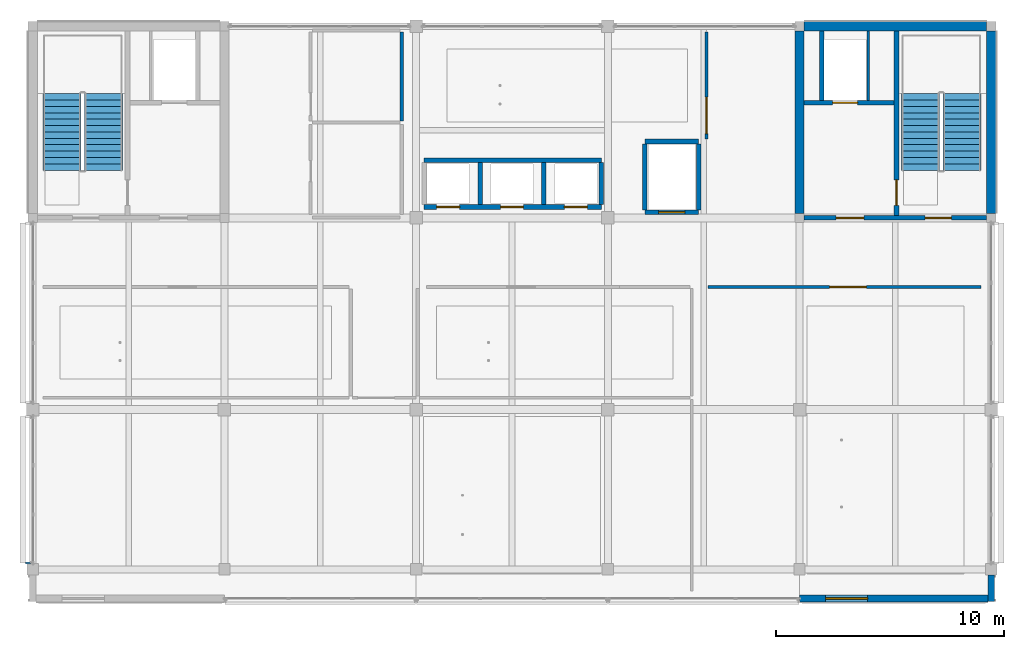
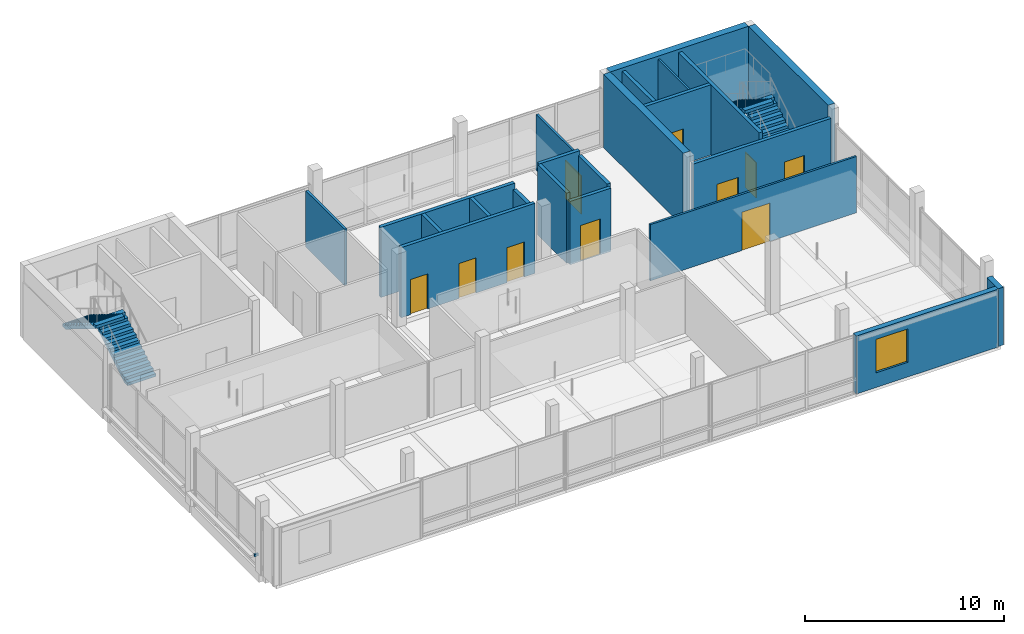
# One storey, part 8 of 20: 22 walls, 10 doors, 4 stair flights, 1 discrete accessory, 1 window, 11 openings, 2 elements without a shape of their own.
"""IFC4 building model written with IfcOpenShell, lengths in metres."""

from ifc_helpers import new_model, si_unit, direction, frame, frame_2d, origin, origin_2d, place, context, subcontext, project, spatial, polyline, rectangle, outline, extrude, material, layer, layer_set, type_object, element, fill, aggregate, save


model = new_model("IFC4")

# Units and contexts
model_context = context("Model", 3, precision=1e-05, world=origin(), true_north=direction((0.0, 1.0)))
body_context = subcontext(model_context, "Body", "Model", "MODEL_VIEW")
ifc_project = project(units=[si_unit("LENGTHUNIT", "METRE"), si_unit("AREAUNIT", "SQUARE_METRE"), si_unit("VOLUMEUNIT", "CUBIC_METRE"), si_unit("PLANEANGLEUNIT", "RADIAN"), si_unit("MASSUNIT", "GRAM", prefix="KILO")], contexts=[model_context])

# Site, building, storey
site_placement = place(None, origin())
site = spatial("IfcSite", under=ifc_project, at=site_placement, CompositionType="ELEMENT")
building_placement = place(site_placement, origin())
building = spatial("IfcBuilding", under=site, at=building_placement, Name="Telukmera Botanical Conservatory", CompositionType="ELEMENT")
storey_placement = place(building_placement, frame((0.0, 0.0, 69.0)))
storey = spatial("IfcBuildingStorey", under=building, at=storey_placement, Name="L15", CompositionType="ELEMENT", Elevation=69.0)

# Wall
ifc_material_1 = material(Name="Terracotta-faced precast concrete C40/50", Category="masonry")
ifc_layer_1 = layer(ifc_material_1, 0.300048828125)
ifc_layer_set_1 = layer_set([ifc_layer_1], Name="Terracotta-faced precast concrete C40/50")
wall_type_1 = type_object("IfcWallType", Name="Exterior Polychrome Terracotta Precast Wall 300", PredefinedType="SOLIDWALL", material=ifc_layer_set_1)
wall_1_placement = place(storey_placement, frame((100.800048828125, 9.199951171875, 0.0), z_axis=(0.0, 0.0, 1.0), x_axis=(0.0, 1.0, 0.0)))
element("IfcWall", 1, at=wall_1_placement, inside=storey, type_object=wall_type_1, Name="Exterior Precast Wall EW02 V4:L15:SEC", PredefinedType="SOLIDWALL", context=body_context, shape_type="SweptSolid", body=[
    extrude(rectangle(XDim=1.14794921875, YDim=0.300048828125, at=frame_2d((0.573974609375, 0.0))), origin(), (0.0, 0.0, 1.0), 3.550048828125),
])

# Wall, opening, window
wall_2_placement = place(storey_placement, frame((92.402099609375, 9.320068359375, 0.0), z_axis=(0.0, 0.0, 1.0), x_axis=(1.0, 0.0, 0.0)))
wall_2 = element("IfcWall", 2, at=wall_2_placement, inside=storey, type_object=wall_type_1, Name="Exterior Precast Wall EW02 V4:L15:S5", PredefinedType="SOLIDWALL", context=body_context, shape_type="SweptSolid", body=[
    extrude(rectangle(XDim=8.245849609375, YDim=0.300048828125, at=frame_2d((4.123046875, 0.0))), origin(), (0.0, 0.0, 1.0), 3.550048828125),
])
opening_1_placement = place(wall_2_placement, frame((1.136474609375, 0.0, 0.89990234375)))
opening_1 = element("IfcOpeningElement", 3, at=opening_1_placement, cuts=wall_2, Name="Opening W12", PredefinedType="OPENING", context=body_context, shape_type="SweptSolid", body=[
    extrude(rectangle(XDim=1.85009765625, YDim=2.050048828125, at=frame_2d((0.925048828125, 1.02490234375))), frame((0.0, 0.159912109375, 0.0), z_axis=(0.0, -1.0, 0.0), x_axis=(1.0, 0.0, 0.0)), (0.0, 0.0, 1.0), 0.320068359375),
])
ifc_material_2 = material(Name="Thermally broken anodised aluminium frame with low-E double glazing", Category="aluminium")
window_type = type_object("IfcWindowType", Name="Double Horizontal Seminar Suite Window 1850x2050", PartitioningType="DOUBLE_PANEL_HORIZONTAL", PredefinedType="WINDOW", material=ifc_material_2)
window_placement = place(opening_1_placement, origin())
window = element("IfcWindow", 4, at=window_placement, inside=storey, type_object=window_type, Name="Facade Window W12 V4:L15:S5 1", OverallHeight=2.050048828125, OverallWidth=1.85009765625, PartitioningType="DOUBLE_PANEL_HORIZONTAL", PredefinedType="WINDOW", context=body_context, shape_type="SweptSolid", body=[
    extrude(rectangle(XDim=1.85009765625, YDim=2.050048828125, at=frame_2d((0.925048828125, 1.02490234375))), frame((0.0, 0.030029296875, 0.0), z_axis=(0.0, -1.0, 0.0), x_axis=(1.0, 0.0, 0.0)), (0.0, 0.0, 1.0), 0.06005859375),
])
fill(opening_1, window)

# Wall, openings, doors
ifc_material_3 = material(Name="Concrete C40/50", Category="concrete")
ifc_layer_2 = layer(ifc_material_3, 0.199951171875)
ifc_layer_set_2 = layer_set([ifc_layer_2], Name="Concrete C40/50")
wall_type_2 = type_object("IfcWallType", Name="WT-CORE-200", PredefinedType="SOLIDWALL", material=ifc_layer_set_2)
wall_3_placement = place(storey_placement, frame((92.60009765625, 26.0, 0.0), z_axis=(0.0, 0.0, 1.0), x_axis=(1.0, 0.0, 0.0)))
wall_3 = element("IfcWall", 5, at=wall_3_placement, inside=storey, type_object=wall_type_2, Name="L15 Core C2 South Fire Wall", PredefinedType="SOLIDWALL", context=body_context, shape_type="SweptSolid", body=[
    extrude(rectangle(XDim=8.0, YDim=0.199951171875, at=frame_2d((4.0, 0.0))), origin(), (0.0, 0.0, 1.0), 3.8798828125),
])
opening_2_placement = place(wall_3_placement, frame((1.39990234375, 0.0, 0.0)))
opening_2 = element("IfcOpeningElement", 6, at=opening_2_placement, cuts=wall_3, Name="Opening FD60C", PredefinedType="OPENING", context=body_context, shape_type="SweptSolid", body=[
    extrude(rectangle(XDim=1.219970703125, YDim=2.14990234375, at=frame_2d((0.60986328125, 1.074951171875))), frame((0.0, 0.10986328125, 0.0), z_axis=(0.0, -1.0, 0.0), x_axis=(1.0, 0.0, 0.0)), (0.0, 0.0, 1.0), 0.219970703125),
])
opening_3_placement = place(wall_3_placement, frame((5.300048828125, 0.0, 0.0)))
opening_3 = element("IfcOpeningElement", 7, at=opening_3_placement, cuts=wall_3, Name="Opening FD60A", PredefinedType="OPENING", context=body_context, shape_type="SweptSolid", body=[
    extrude(rectangle(XDim=1.14990234375, YDim=2.14990234375, at=frame_2d((0.574951171875, 1.074951171875))), frame((0.0, 0.10986328125, 0.0), z_axis=(0.0, -1.0, 0.0), x_axis=(1.0, 0.0, 0.0)), (0.0, 0.0, 1.0), 0.219970703125),
])
ifc_material_4 = material(Name="Hardwood fire door", Category="wood")
door_type_1 = type_object("IfcDoorType", Name="DT-FD60-01", OperationType="NOTDEFINED", PredefinedType="DOOR", material=ifc_material_4)
door_1_placement = place(opening_3_placement, origin())
door_1 = element("IfcDoor", 8, at=door_1_placement, inside=storey, type_object=door_type_1, Name="L15 Stair ST2 Escape Door", OperationType="SINGLE_SWING_RIGHT", OverallHeight=2.14990234375, OverallWidth=1.14990234375, PredefinedType="DOOR", context=body_context, shape_type="SweptSolid", body=[
    extrude(rectangle(XDim=1.14990234375, YDim=2.14990234375, at=frame_2d((0.574951171875, 1.074951171875))), frame((0.0, 0.02490234375, 0.0), z_axis=(0.0, -1.0, 0.0), x_axis=(1.0, 0.0, 0.0)), (0.0, 0.0, 1.0), 0.050048828125),
])
fill(opening_3, door_1)
door_type_2 = type_object("IfcDoorType", Name="DT-FD60-03", OperationType="NOTDEFINED", PredefinedType="DOOR", material=ifc_material_4)
door_2_placement = place(opening_2_placement, origin())
door_2 = element("IfcDoor", 9, at=door_2_placement, inside=storey, type_object=door_type_2, Name="L15 Firefighting Lobby C2 Door", OperationType="SINGLE_SWING_LEFT", OverallHeight=2.14990234375, OverallWidth=1.219970703125, PredefinedType="DOOR", context=body_context, shape_type="SweptSolid", body=[
    extrude(rectangle(XDim=1.219970703125, YDim=2.14990234375, at=frame_2d((0.60986328125, 1.074951171875))), frame((0.0, 0.02490234375, 0.0), z_axis=(0.0, -1.0, 0.0), x_axis=(1.0, 0.0, 0.0)), (0.0, 0.0, 1.0), 0.050048828125),
])
fill(opening_2, door_2)

# Wall, opening, door
wall_4_placement = place(storey_placement, frame((96.64990234375, 26.10009765625, 0.0), z_axis=(0.0, 0.0, 1.0), x_axis=(0.0, 1.0, 0.0)))
wall_4 = element("IfcWall", 10, at=wall_4_placement, inside=storey, type_object=wall_type_2, Name="L15 Core C2 Stair-Lobby Wall", PredefinedType="SOLIDWALL", context=body_context, shape_type="SweptSolid", body=[
    extrude(rectangle(XDim=8.099853515625, YDim=0.199951171875, at=frame_2d((4.0498046875, 0.0))), origin(), (0.0, 0.0, 1.0), 4.300048828125),
])
opening_4_placement = place(wall_4_placement, frame((0.449951171875, 0.0, 0.0)))
opening_4 = element("IfcOpeningElement", 11, at=opening_4_placement, cuts=wall_4, Name="Opening FD60B", PredefinedType="OPENING", context=body_context, shape_type="SweptSolid", body=[
    extrude(rectangle(XDim=1.1201171875, YDim=2.14990234375, at=frame_2d((0.56005859375, 1.074951171875))), frame((0.0, 0.10986328125, 0.0), z_axis=(0.0, -1.0, 0.0), x_axis=(1.0, 0.0, 0.0)), (0.0, 0.0, 1.0), 0.219970703125),
])
door_type_3 = type_object("IfcDoorType", Name="DT-FD60-02", OperationType="NOTDEFINED", PredefinedType="DOOR", material=ifc_material_4)
door_3_placement = place(opening_4_placement, frame((1.1201171875, 0.0, 0.0), z_axis=(0.0, 0.0, 1.0), x_axis=(-1.0, 0.0, 0.0)))
door_3 = element("IfcDoor", 12, at=door_3_placement, inside=storey, type_object=door_type_3, Name="L15 Firefighting Lobby C2 to ST2 Door", OperationType="SINGLE_SWING_LEFT", OverallHeight=2.14990234375, OverallWidth=1.1201171875, PredefinedType="DOOR", context=body_context, shape_type="SweptSolid", body=[
    extrude(rectangle(XDim=1.1201171875, YDim=2.14990234375, at=frame_2d((0.56005859375, 1.074951171875))), frame((0.0, 0.02490234375, 0.0), z_axis=(0.0, -1.0, 0.0), x_axis=(1.0, 0.0, 0.0)), (0.0, 0.0, 1.0), 0.050048828125),
])
fill(opening_4, door_3)

wall_5_placement = place(storey_placement, frame((92.60009765625, 31.050048828125, 0.0), z_axis=(0.0, 0.0, 1.0), x_axis=(1.0, 0.0, 0.0)))
wall_5 = element("IfcWall", 13, at=wall_5_placement, inside=storey, type_object=wall_type_2, Name="L15 Fire Lift FL2 Shaft Front Wall", PredefinedType="SOLIDWALL", context=body_context, shape_type="SweptSolid", body=[
    extrude(rectangle(XDim=3.949951171875, YDim=0.199951171875, at=frame_2d((1.97509765625, 0.0))), origin(), (0.0, 0.0, 1.0), 4.300048828125),
])
opening_5_placement = place(wall_5_placement, frame((1.25, 0.0, 0.0)))
opening_5 = element("IfcOpeningElement", 14, at=opening_5_placement, cuts=wall_5, Name="Opening LD01", PredefinedType="OPENING", context=body_context, shape_type="SweptSolid", body=[
    extrude(rectangle(XDim=1.10009765625, YDim=2.14990234375, at=frame_2d((0.550048828125, 1.074951171875))), frame((0.0, 0.10986328125, 0.0), z_axis=(0.0, -1.0, 0.0), x_axis=(1.0, 0.0, 0.0)), (0.0, 0.0, 1.0), 0.219970703125),
])
ifc_material_5 = material(Name="Stainless steel 316", Category="steel")
door_type_4 = type_object("IfcDoorType", Name="DT-LD01", OperationType="SLIDING_TO_LEFT", PredefinedType="DOOR", material=ifc_material_5)
door_4_placement = place(opening_5_placement, frame((1.10009765625, 0.0, 0.0), z_axis=(0.0, 0.0, 1.0), x_axis=(-1.0, 0.0, 0.0)))
door_4 = element("IfcDoor", 15, at=door_4_placement, inside=storey, type_object=door_type_4, Name="L15 Lift Landing Door FL2", OperationType="SLIDING_TO_LEFT", OverallHeight=2.14990234375, OverallWidth=1.10009765625, PredefinedType="DOOR", context=body_context, shape_type="SweptSolid", body=[
    extrude(rectangle(XDim=1.10009765625, YDim=2.14990234375, at=frame_2d((0.550048828125, 1.074951171875))), frame((0.0, 0.02490234375, 0.0), z_axis=(0.0, -1.0, 0.0), x_axis=(1.0, 0.0, 0.0)), (0.0, 0.0, 1.0), 0.050048828125),
])
fill(opening_5, door_4)

# Wall
wall_6_placement = place(storey_placement, frame((93.3798828125, 31.14990234375, 0.0), z_axis=(0.0, 0.0, 1.0), x_axis=(0.0, 1.0, 0.0)))
element("IfcWall", 16, at=wall_6_placement, inside=storey, type_object=wall_type_2, Name="L15 Fire Lift FL2 Shaft West Wall", PredefinedType="SOLIDWALL", context=body_context, shape_type="SweptSolid", body=[
    extrude(rectangle(XDim=3.050048828125, YDim=0.199951171875, at=frame_2d((1.52490234375, 0.0))), origin(), (0.0, 0.0, 1.0), 4.300048828125),
])

# Wall, openings, doors
wall_7_placement = place(storey_placement, frame((75.949951171875, 26.47998046875, 0.0), z_axis=(0.0, 0.0, 1.0), x_axis=(1.0, 0.0, 0.0)))
wall_7 = element("IfcWall", 17, at=wall_7_placement, inside=storey, type_object=wall_type_2, Name="L15 Passenger Lift Bank Front Wall", PredefinedType="SOLIDWALL", context=body_context, shape_type="SweptSolid", body=[
    extrude(rectangle(XDim=7.77001953125, YDim=0.199951171875, at=frame_2d((3.885009765625, 0.0))), origin(), (0.0, 0.0, 1.0), 4.300048828125),
])
opening_6_placement = place(wall_7_placement, frame((0.550048828125, 0.0, 0.0)))
opening_6 = element("IfcOpeningElement", 18, at=opening_6_placement, cuts=wall_7, Name="Opening LD03", PredefinedType="OPENING", context=body_context, shape_type="SweptSolid", body=[
    extrude(rectangle(XDim=1.0, YDim=2.14990234375, at=frame_2d((0.5, 1.074951171875))), frame((0.0, 0.10986328125, 0.0), z_axis=(0.0, -1.0, 0.0), x_axis=(1.0, 0.0, 0.0)), (0.0, 0.0, 1.0), 0.219970703125),
])
opening_7_placement = place(wall_7_placement, frame((3.35009765625, 0.0, 0.0)))
opening_7 = element("IfcOpeningElement", 19, at=opening_7_placement, cuts=wall_7, Name="Opening LD03", PredefinedType="OPENING", context=body_context, shape_type="SweptSolid", body=[
    extrude(rectangle(XDim=1.0, YDim=2.14990234375, at=frame_2d((0.5, 1.074951171875))), frame((0.0, 0.10986328125, 0.0), z_axis=(0.0, -1.0, 0.0), x_axis=(1.0, 0.0, 0.0)), (0.0, 0.0, 1.0), 0.219970703125),
])
opening_8_placement = place(wall_7_placement, frame((6.14990234375, 0.0, 0.0)))
opening_8 = element("IfcOpeningElement", 20, at=opening_8_placement, cuts=wall_7, Name="Opening LD03", PredefinedType="OPENING", context=body_context, shape_type="SweptSolid", body=[
    extrude(rectangle(XDim=1.0, YDim=2.14990234375, at=frame_2d((0.5, 1.074951171875))), frame((0.0, 0.10986328125, 0.0), z_axis=(0.0, -1.0, 0.0), x_axis=(1.0, 0.0, 0.0)), (0.0, 0.0, 1.0), 0.219970703125),
])
door_type_5 = type_object("IfcDoorType", Name="DT-LD03", OperationType="SLIDING_TO_LEFT", PredefinedType="DOOR", material=ifc_material_5)
door_5_placement = place(opening_6_placement, frame((1.0, 0.0, 0.0), z_axis=(0.0, 0.0, 1.0), x_axis=(-1.0, 0.0, 0.0)))
door_5 = element("IfcDoor", 21, at=door_5_placement, inside=storey, type_object=door_type_5, Name="L15 Lift Landing Door PL1", OperationType="SLIDING_TO_LEFT", OverallHeight=2.14990234375, OverallWidth=1.0, PredefinedType="DOOR", context=body_context, shape_type="SweptSolid", body=[
    extrude(rectangle(XDim=1.0, YDim=2.14990234375, at=frame_2d((0.5, 1.074951171875))), frame((0.0, 0.02490234375, 0.0), z_axis=(0.0, -1.0, 0.0), x_axis=(1.0, 0.0, 0.0)), (0.0, 0.0, 1.0), 0.050048828125),
])
fill(opening_6, door_5)
door_6_placement = place(opening_7_placement, frame((1.0, 0.0, 0.0), z_axis=(0.0, 0.0, 1.0), x_axis=(-1.0, 0.0, 0.0)))
door_6 = element("IfcDoor", 22, at=door_6_placement, inside=storey, type_object=door_type_5, Name="L15 Lift Landing Door PL2", OperationType="SLIDING_TO_LEFT", OverallHeight=2.14990234375, OverallWidth=1.0, PredefinedType="DOOR", context=body_context, shape_type="SweptSolid", body=[
    extrude(rectangle(XDim=1.0, YDim=2.14990234375, at=frame_2d((0.5, 1.074951171875))), frame((0.0, 0.02490234375, 0.0), z_axis=(0.0, -1.0, 0.0), x_axis=(1.0, 0.0, 0.0)), (0.0, 0.0, 1.0), 0.050048828125),
])
fill(opening_7, door_6)
door_7_placement = place(opening_8_placement, frame((1.0, 0.0, 0.0), z_axis=(0.0, 0.0, 1.0), x_axis=(-1.0, 0.0, 0.0)))
door_7 = element("IfcDoor", 23, at=door_7_placement, inside=storey, type_object=door_type_5, Name="L15 Lift Landing Door PL3", OperationType="SLIDING_TO_LEFT", OverallHeight=2.14990234375, OverallWidth=1.0, PredefinedType="DOOR", context=body_context, shape_type="SweptSolid", body=[
    extrude(rectangle(XDim=1.0, YDim=2.14990234375, at=frame_2d((0.5, 1.074951171875))), frame((0.0, 0.02490234375, 0.0), z_axis=(0.0, -1.0, 0.0), x_axis=(1.0, 0.0, 0.0)), (0.0, 0.0, 1.0), 0.050048828125),
])
fill(opening_8, door_7)

# Walls
wall_8_placement = place(storey_placement, frame((75.949951171875, 28.52001953125, 0.0), z_axis=(0.0, 0.0, 1.0), x_axis=(1.0, 0.0, 0.0)))
element("IfcWall", 24, at=wall_8_placement, inside=storey, type_object=wall_type_2, Name="L15 Passenger Lift Bank Rear Wall", PredefinedType="SOLIDWALL", context=body_context, shape_type="SweptSolid", body=[
    extrude(rectangle(XDim=7.77001953125, YDim=0.199951171875, at=frame_2d((3.885009765625, 0.0))), origin(), (0.0, 0.0, 1.0), 4.300048828125),
])
for number, where, z_axis, x_axis, name in (
    (25, (78.39990234375, 26.580078125, 0.0), (0.0, 0.0, 1.0), (0.0, 1.0, 0.0), "L15 Passenger Lift Shaft Wall 2"),
    (26, (81.199951171875, 26.580078125, 0.0), (0.0, 0.0, 1.0), (0.0, 1.0, 0.0), "L15 Passenger Lift Shaft Wall 3"),
):
    element("IfcWall", number, at=place(storey_placement, frame(where, z_axis=z_axis, x_axis=x_axis)), inside=storey, type_object=wall_type_2, Name=name, PredefinedType="SOLIDWALL", context=body_context, shape_type="SweptSolid", body=[
        extrude(rectangle(XDim=1.83984375, YDim=0.199951171875, at=frame_2d((0.919921875, 0.0))), origin(), (0.0, 0.0, 1.0), 4.300048828125),
    ])
wall_9_placement = place(storey_placement, frame((83.719970703125, 26.580078125, 0.0), z_axis=(0.0, 0.0, 1.0), x_axis=(0.0, 1.0, 0.0)))
element("IfcWall", 27, at=wall_9_placement, inside=storey, type_object=wall_type_2, Name="L15 Passenger Lift Shaft Wall 4", PredefinedType="SOLIDWALL", context=body_context, shape_type="SweptSolid", body=[
    extrude(rectangle(XDim=1.83984375, YDim=0.199951171875, at=frame_2d((0.919921875, 0.0))), origin(), (0.0, 0.0, 1.0), 3.929931640625),
])

# Wall, opening, door
wall_10_placement = place(storey_placement, frame((85.6201171875, 26.25, 0.0), z_axis=(0.0, 0.0, 1.0), x_axis=(1.0, 0.0, 0.0)))
wall_10 = element("IfcWall", 28, at=wall_10_placement, inside=storey, type_object=wall_type_2, Name="L15 Goods Lift GL1 Front Wall", PredefinedType="SOLIDWALL", context=body_context, shape_type="SweptSolid", body=[
    extrude(rectangle(XDim=2.35986328125, YDim=0.199951171875, at=frame_2d((1.179931640625, 0.0))), origin(), (0.0, 0.0, 1.0), 3.8798828125),
])
opening_9_placement = place(wall_10_placement, frame((0.60498046875, 0.0, 0.0)))
opening_9 = element("IfcOpeningElement", 29, at=opening_9_placement, cuts=wall_10, Name="Opening LD02", PredefinedType="OPENING", context=body_context, shape_type="SweptSolid", body=[
    extrude(rectangle(XDim=1.14990234375, YDim=2.199951171875, at=frame_2d((0.574951171875, 1.10009765625))), frame((0.0, 0.10986328125, 0.0), z_axis=(0.0, -1.0, 0.0), x_axis=(1.0, 0.0, 0.0)), (0.0, 0.0, 1.0), 0.219970703125),
])
door_type_6 = type_object("IfcDoorType", Name="DT-LD02", OperationType="SLIDING_TO_LEFT", PredefinedType="DOOR", material=ifc_material_5)
door_8_placement = place(opening_9_placement, frame((1.14990234375, 0.0, 0.0), z_axis=(0.0, 0.0, 1.0), x_axis=(-1.0, 0.0, 0.0)))
door_8 = element("IfcDoor", 30, at=door_8_placement, inside=storey, type_object=door_type_6, Name="L15 Lift Landing Door GL1", OperationType="SLIDING_TO_LEFT", OverallHeight=2.199951171875, OverallWidth=1.14990234375, PredefinedType="DOOR", context=body_context, shape_type="SweptSolid", body=[
    extrude(rectangle(XDim=1.14990234375, YDim=2.199951171875, at=frame_2d((0.574951171875, 1.10009765625))), frame((0.0, 0.02490234375, 0.0), z_axis=(0.0, -1.0, 0.0), x_axis=(1.0, 0.0, 0.0)), (0.0, 0.0, 1.0), 0.050048828125),
])
fill(opening_9, door_8)

# Walls
wall_11_placement = place(storey_placement, frame((85.6201171875, 29.35009765625, 0.0), z_axis=(0.0, 0.0, 1.0), x_axis=(1.0, 0.0, 0.0)))
element("IfcWall", 31, at=wall_11_placement, inside=storey, type_object=wall_type_2, Name="L15 Goods Lift GL1 Rear Wall", PredefinedType="SOLIDWALL", context=body_context, shape_type="SweptSolid", body=[
    extrude(rectangle(XDim=2.35986328125, YDim=0.199951171875, at=frame_2d((1.179931640625, 0.0))), origin(), (0.0, 0.0, 1.0), 4.300048828125),
])
wall_12_placement = place(storey_placement, frame((85.6201171875, 26.35009765625, 0.0), z_axis=(0.0, 0.0, 1.0), x_axis=(0.0, 1.0, 0.0)))
element("IfcWall", 32, at=wall_12_placement, inside=storey, type_object=wall_type_2, Name="L15 Goods Lift GL1 Side Wall 1", PredefinedType="SOLIDWALL", context=body_context, shape_type="SweptSolid", body=[
    extrude(rectangle(XDim=2.89990234375, YDim=0.199951171875, at=frame_2d((1.449951171875, 0.0))), origin(), (0.0, 0.0, 1.0), 4.300048828125),
])
wall_13_placement = place(storey_placement, frame((87.97998046875, 26.35009765625, 0.0), z_axis=(0.0, 0.0, 1.0), x_axis=(0.0, 1.0, 0.0)))
element("IfcWall", 33, at=wall_13_placement, inside=storey, type_object=wall_type_2, Name="L15 Goods Lift GL1 Side Wall 2", PredefinedType="SOLIDWALL", context=body_context, shape_type="SweptSolid", body=[
    extrude(rectangle(XDim=2.89990234375, YDim=0.199951171875, at=frame_2d((1.449951171875, 0.0))), origin(), (0.0, 0.0, 1.0), 4.030029296875),
])

# Wall, opening, door
ifc_material_6 = material(Name="Aluminium framed acoustic glass", Category="aluminium")
ifc_layer_3 = layer(ifc_material_6, 0.1201171875)
ifc_layer_set_3 = layer_set([ifc_layer_3], Name="Aluminium framed acoustic glass")
wall_type_3 = type_object("IfcWallType", Name="WT-GLAZ-120", PredefinedType="PARTITIONING", material=ifc_layer_set_3)
wall_14_placement = place(storey_placement, frame((88.324951171875, 29.449951171875, 0.0), z_axis=(0.0, 0.0, 1.0), x_axis=(0.0, 1.0, 0.0)))
wall_14 = element("IfcWall", 34, at=wall_14_placement, inside=storey, type_object=wall_type_3, Name="L15 Interior Partition 05", PredefinedType="PARTITIONING", context=body_context, shape_type="SweptSolid", body=[
    extrude(rectangle(XDim=4.699951171875, YDim=0.1201171875, at=frame_2d((2.35009765625, 0.0))), origin(), (0.0, 0.0, 1.0), 3.449951171875),
])
opening_10_placement = place(wall_14_placement, frame((0.25, 0.0, 0.0)))
opening_10 = element("IfcOpeningElement", 35, at=opening_10_placement, cuts=wall_14, Name="Opening ID03", PredefinedType="OPENING", context=body_context, shape_type="SweptSolid", body=[
    extrude(rectangle(XDim=1.60009765625, YDim=2.35009765625, at=frame_2d((0.800048828125, 1.175048828125))), frame((0.0, 0.070068359375, 0.0), z_axis=(0.0, -1.0, 0.0), x_axis=(1.0, 0.0, 0.0)), (0.0, 0.0, 1.0), 0.14013671875),
])
ifc_material_7 = material(Name="Anodised aluminium glazed double door", Category="aluminium")
door_type_7 = type_object("IfcDoorType", Name="DT-GAL-160", OperationType="NOTDEFINED", PredefinedType="DOOR", material=ifc_material_7)
door_9_placement = place(opening_10_placement, origin())
door_9 = element("IfcDoor", 36, at=door_9_placement, inside=storey, type_object=door_type_7, Name="L15 Exhibition Curatorial Preparation Room Door", OperationType="SINGLE_SWING_RIGHT", OverallHeight=2.35009765625, OverallWidth=1.60009765625, PredefinedType="DOOR", context=body_context, shape_type="SweptSolid", body=[
    extrude(rectangle(XDim=1.60009765625, YDim=2.35009765625, at=frame_2d((0.800048828125, 1.175048828125))), frame((0.0, 0.02490234375, 0.0), z_axis=(0.0, -1.0, 0.0), x_axis=(1.0, 0.0, 0.0)), (0.0, 0.0, 1.0), 0.050048828125),
])
fill(opening_10, door_9)

wall_15_placement = place(storey_placement, frame((88.39990234375, 22.97509765625, 0.0), z_axis=(0.0, 0.0, 1.0), x_axis=(1.0, 0.0, 0.0)))
wall_15 = element("IfcWall", 37, at=wall_15_placement, inside=storey, type_object=wall_type_3, Name="L15 Interior Partition 09", PredefinedType="PARTITIONING", context=body_context, shape_type="SweptSolid", body=[
    extrude(rectangle(XDim=11.9501953125, YDim=0.1201171875, at=frame_2d((5.97509765625, 0.0))), origin(), (0.0, 0.0, 1.0), 3.449951171875),
])
opening_11_placement = place(wall_15_placement, frame((5.32421875, 0.0, 0.0)))
opening_11 = element("IfcOpeningElement", 38, at=opening_11_placement, cuts=wall_15, Name="Opening ID03", PredefinedType="OPENING", context=body_context, shape_type="SweptSolid", body=[
    extrude(rectangle(XDim=1.60009765625, YDim=2.35009765625, at=frame_2d((0.800048828125, 1.175048828125))), frame((0.0, 0.070068359375, 0.0), z_axis=(0.0, -1.0, 0.0), x_axis=(1.0, 0.0, 0.0)), (0.0, 0.0, 1.0), 0.14013671875),
])
door_10_placement = place(opening_11_placement, frame((1.60009765625, 0.0, 0.0), z_axis=(0.0, 0.0, 1.0), x_axis=(-1.0, 0.0, 0.0)))
door_10 = element("IfcDoor", 39, at=door_10_placement, inside=storey, type_object=door_type_7, Name="L15 Botanical Rare Atlas Gallery Door", OperationType="SINGLE_SWING_RIGHT", OverallHeight=2.35009765625, OverallWidth=1.60009765625, PredefinedType="DOOR", context=body_context, shape_type="SweptSolid", body=[
    extrude(rectangle(XDim=1.60009765625, YDim=2.35009765625, at=frame_2d((0.800048828125, 1.175048828125))), frame((0.0, 0.02490234375, 0.0), z_axis=(0.0, -1.0, 0.0), x_axis=(1.0, 0.0, 0.0)), (0.0, 0.0, 1.0), 0.050048828125),
])
fill(opening_11, door_10)

# Walls
ifc_material_8 = material(Name="Gypsum shaftwall liner")
ifc_layer_4 = layer(ifc_material_8, 0.110107421875)
ifc_layer_set_4 = layer_set([ifc_layer_4], Name="Gypsum shaftwall liner")
wall_type_4 = type_object("IfcWallType", Name="WT-RISER-110", PredefinedType="PARTITIONING", material=ifc_layer_set_4)
wall_16_placement = place(storey_placement, frame((95.419921875, 31.14990234375, 0.0), z_axis=(0.0, 0.0, 1.0), x_axis=(0.0, 1.0, 0.0)))
element("IfcWall", 40, at=wall_16_placement, inside=storey, type_object=wall_type_4, Name="L15 Wet Riser C2 Shaft Wall", PredefinedType="PARTITIONING", context=body_context, shape_type="SweptSolid", body=[
    extrude(rectangle(XDim=3.050048828125, YDim=0.110107421875, at=frame_2d((1.52490234375, 0.0))), origin(), (0.0, 0.0, 1.0), 4.300048828125),
])
ifc_material_9 = material(Name="Moisture-resistant blockwork", Category="masonry")
ifc_layer_5 = layer(ifc_material_9, 0.135009765625)
ifc_layer_set_5 = layer_set([ifc_layer_5], Name="Moisture-resistant blockwork")
wall_type_5 = type_object("IfcWallType", Name="WT-WC-135", PredefinedType="PARTITIONING", material=ifc_layer_set_5)
wall_17_placement = place(storey_placement, frame((74.967529296875, 30.25244140625, 0.0), z_axis=(0.0, 0.0, 1.0), x_axis=(0.0, 1.0, 0.0)))
element("IfcWall", 41, at=wall_17_placement, inside=storey, type_object=wall_type_5, Name="L15 WC Enclosure Partition 03", PredefinedType="PARTITIONING", context=body_context, shape_type="SweptSolid", body=[
    extrude(rectangle(XDim=3.887451171875, YDim=0.135009765625, at=frame_2d((1.94384765625, 0.0))), origin(), (0.0, 0.0, 1.0), 3.449951171875),
])
ifc_material_10 = material(Name="Concrete C50/60", Category="concrete")
ifc_layer_6 = layer(ifc_material_10, 0.39990234375)
ifc_layer_set_6 = layer_set([ifc_layer_6], Name="Concrete C50/60")
wall_type_6 = type_object("IfcWallType", Name="Wall_CW1", PredefinedType="SHEAR", material=ifc_layer_set_6)
for number, where, z_axis, x_axis, name in (
    (42, (92.39990234375, 26.199951171875, 0.0), (0.0, 0.0, 1.0), (0.0, 1.0, 0.0), "Core C2 Shear Wall West L15"),
    (43, (100.800048828125, 26.199951171875, 0.0), (0.0, 0.0, 1.0), (0.0, 1.0, 0.0), "Core C2 Shear Wall East L15"),
    (44, (92.60009765625, 34.39990234375, 0.0), (0.0, 0.0, 1.0), (1.0, 0.0, 0.0), "Core C2 Shear Wall North L15"),
):
    element("IfcWall", number, at=place(storey_placement, frame(where, z_axis=z_axis, x_axis=x_axis)), inside=storey, type_object=wall_type_6, Name=name, PredefinedType="SHEAR", context=body_context, shape_type="SweptSolid", body=[
        extrude(rectangle(XDim=8.0, YDim=0.39990234375, at=frame_2d((4.0, 0.0))), origin(), (0.0, 0.0, 1.0), 4.5),
    ])

# Stair, stair flights
stair_type = type_object("IfcStairType", Name="ST-ESC-4500", PredefinedType="HALF_TURN_STAIR", material=ifc_material_3)
stair_1_placement = place(storey_placement, origin())
stair_1 = element("IfcStair", 45, at=stair_1_placement, inside=storey, type_object=stair_type, Name="L15 Protected Escape Stair ST1", PredefinedType="HALF_TURN_STAIR")
stair_flight_type = type_object("IfcStairFlightType", Name="SF-ESC-4500", PredefinedType="STRAIGHT", material=ifc_material_3)
stair_flight_1_placement = place(storey_placement, frame((61.89990234375, 28.090087890625, 0.0), z_axis=(0.0, 0.0, 1.0), x_axis=(0.0, 1.0, 0.0)))
stair_flight_1 = element("IfcStairFlight", 46, at=stair_flight_1_placement, type_object=stair_flight_type, Name="ST1 flight 1", NumberOfRisers=13, NumberOfTreads=12, PredefinedType="STRAIGHT", RiserHeight=0.173076923, TreadLength=0.28, context=body_context, shape_type="SweptSolid", body=[
    extrude(outline(polyline([(0.0, 0.0), (0.0, 0.173095703125), (0.280029296875, 0.173095703125), (0.280029296875, 0.34619140625), (0.56005859375, 0.34619140625), (0.56005859375, 0.519287109375), (0.840087890625, 0.519287109375), (0.840087890625, 0.6923828125), (1.1201171875, 0.6923828125), (1.1201171875, 0.865478515625), (1.39990234375, 0.865478515625), (1.39990234375, 1.03857421875), (1.679931640625, 1.03857421875), (1.679931640625, 1.21142578125), (1.9599609375, 1.21142578125), (1.9599609375, 1.384521484375), (2.239990234375, 1.384521484375), (2.239990234375, 1.5576171875), (2.52001953125, 1.5576171875), (2.52001953125, 1.730712890625), (2.800048828125, 1.730712890625), (2.800048828125, 1.90380859375), (3.080078125, 1.90380859375), (3.080078125, 2.076904296875), (3.360107421875, 2.076904296875), (3.360107421875, 2.25), (3.360107421875, 1.888916015625), (0.30419921875, 0.0), (0.0, 0.0)])), frame((0.0, 0.830078125, 0.0), z_axis=(0.0, -1.0, 0.0), x_axis=(1.0, 0.0, 0.0)), (0.0, 0.0, 1.0), 1.659912109375),
])
stair_flight_2_placement = place(storey_placement, frame((60.080078125, 31.449951171875, 2.25), z_axis=(0.0, 0.0, 1.0), x_axis=(0.0, -1.0, 0.0)))
stair_flight_2 = element("IfcStairFlight", 47, at=stair_flight_2_placement, type_object=stair_flight_type, Name="ST1 flight 2", NumberOfRisers=13, NumberOfTreads=12, PredefinedType="STRAIGHT", RiserHeight=0.173076923, TreadLength=0.28, context=body_context, shape_type="SweptSolid", body=[
    extrude(outline(polyline([(0.0, 0.0), (0.0, 0.173095703125), (0.280029296875, 0.173095703125), (0.280029296875, 0.34619140625), (0.56005859375, 0.34619140625), (0.56005859375, 0.519287109375), (0.840087890625, 0.519287109375), (0.840087890625, 0.6923828125), (1.1201171875, 0.6923828125), (1.1201171875, 0.865478515625), (1.39990234375, 0.865478515625), (1.39990234375, 1.03857421875), (1.679931640625, 1.03857421875), (1.679931640625, 1.21142578125), (1.9599609375, 1.21142578125), (1.9599609375, 1.384521484375), (2.239990234375, 1.384521484375), (2.239990234375, 1.5576171875), (2.52001953125, 1.5576171875), (2.52001953125, 1.730712890625), (2.800048828125, 1.730712890625), (2.800048828125, 1.90380859375), (3.080078125, 1.90380859375), (3.080078125, 2.076904296875), (3.360107421875, 2.076904296875), (3.360107421875, 2.25), (3.360107421875, 1.888916015625), (0.30419921875, 0.0), (0.0, 0.0)])), frame((0.0, 0.830078125, 0.0), z_axis=(0.0, -1.0, 0.0), x_axis=(1.0, 0.0, 0.0)), (0.0, 0.0, 1.0), 1.659912109375),
])
aggregate(stair_1, [stair_flight_1, stair_flight_2])

stair_2_placement = place(storey_placement, origin())
stair_2 = element("IfcStair", 48, at=stair_2_placement, inside=storey, type_object=stair_type, Name="L15 Protected Escape Stair ST2", PredefinedType="HALF_TURN_STAIR")
stair_flight_3_placement = place(storey_placement, frame((99.52001953125, 28.090087890625, 0.0), z_axis=(0.0, 0.0, 1.0), x_axis=(0.0, 1.0, 0.0)))
stair_flight_3 = element("IfcStairFlight", 49, at=stair_flight_3_placement, type_object=stair_flight_type, Name="ST2 flight 1", NumberOfRisers=13, NumberOfTreads=12, PredefinedType="STRAIGHT", RiserHeight=0.173076923, TreadLength=0.28, context=body_context, shape_type="SweptSolid", body=[
    extrude(outline(polyline([(0.0, 0.0), (0.0, 0.173095703125), (0.280029296875, 0.173095703125), (0.280029296875, 0.34619140625), (0.56005859375, 0.34619140625), (0.56005859375, 0.519287109375), (0.840087890625, 0.519287109375), (0.840087890625, 0.6923828125), (1.1201171875, 0.6923828125), (1.1201171875, 0.865478515625), (1.39990234375, 0.865478515625), (1.39990234375, 1.03857421875), (1.679931640625, 1.03857421875), (1.679931640625, 1.21142578125), (1.9599609375, 1.21142578125), (1.9599609375, 1.384521484375), (2.239990234375, 1.384521484375), (2.239990234375, 1.5576171875), (2.52001953125, 1.5576171875), (2.52001953125, 1.730712890625), (2.800048828125, 1.730712890625), (2.800048828125, 1.90380859375), (3.080078125, 1.90380859375), (3.080078125, 2.076904296875), (3.360107421875, 2.076904296875), (3.360107421875, 2.25), (3.360107421875, 1.888916015625), (0.30419921875, 0.0), (0.0, 0.0)])), frame((0.0, 0.830078125, 0.0), z_axis=(0.0, -1.0, 0.0), x_axis=(1.0, 0.0, 0.0)), (0.0, 0.0, 1.0), 1.659912109375),
])
stair_flight_4_placement = place(storey_placement, frame((97.699951171875, 31.449951171875, 2.25), z_axis=(0.0, 0.0, 1.0), x_axis=(0.0, -1.0, 0.0)))
stair_flight_4 = element("IfcStairFlight", 50, at=stair_flight_4_placement, type_object=stair_flight_type, Name="ST2 flight 2", NumberOfRisers=13, NumberOfTreads=12, PredefinedType="STRAIGHT", RiserHeight=0.173076923, TreadLength=0.28, context=body_context, shape_type="SweptSolid", body=[
    extrude(outline(polyline([(0.0, 0.0), (0.0, 0.173095703125), (0.280029296875, 0.173095703125), (0.280029296875, 0.34619140625), (0.56005859375, 0.34619140625), (0.56005859375, 0.519287109375), (0.840087890625, 0.519287109375), (0.840087890625, 0.6923828125), (1.1201171875, 0.6923828125), (1.1201171875, 0.865478515625), (1.39990234375, 0.865478515625), (1.39990234375, 1.03857421875), (1.679931640625, 1.03857421875), (1.679931640625, 1.21142578125), (1.9599609375, 1.21142578125), (1.9599609375, 1.384521484375), (2.239990234375, 1.384521484375), (2.239990234375, 1.5576171875), (2.52001953125, 1.5576171875), (2.52001953125, 1.730712890625), (2.800048828125, 1.730712890625), (2.800048828125, 1.90380859375), (3.080078125, 1.90380859375), (3.080078125, 2.076904296875), (3.360107421875, 2.076904296875), (3.360107421875, 2.25), (3.360107421875, 1.888916015625), (0.30419921875, 0.0), (0.0, 0.0)])), frame((0.0, 0.830078125, 0.0), z_axis=(0.0, -1.0, 0.0), x_axis=(1.0, 0.0, 0.0)), (0.0, 0.0, 1.0), 1.659912109375),
])
aggregate(stair_2, [stair_flight_3, stair_flight_4])

# Discrete accessory
ifc_material_11 = material(Name="Steel S355", Category="steel")
discrete_accessory_type = type_object("IfcDiscreteAccessoryType", Name="Structural Steel Facade Outrigger Fin Bracket", PredefinedType="BRACKET", material=ifc_material_11)
discrete_accessory_placement = place(storey_placement, frame((58.60009765625, 10.884521484375, 0.8798828125), z_axis=(0.0, 0.0, 1.0), x_axis=(0.0, 1.0, 0.0)))
element("IfcDiscreteAccessory", 51, at=discrete_accessory_placement, inside=storey, type_object=discrete_accessory_type, Name="Facade Outrigger Bracket V4:L15:W1 A", PredefinedType="BRACKET", context=body_context, shape_type="SweptSolid", body=[
    extrude(rectangle(XDim=0.10009765625, YDim=0.239990234375, at=origin_2d()), origin(), (0.0, 0.0, 1.0), 0.139892578125),
])

save(model, "model.ifc")
